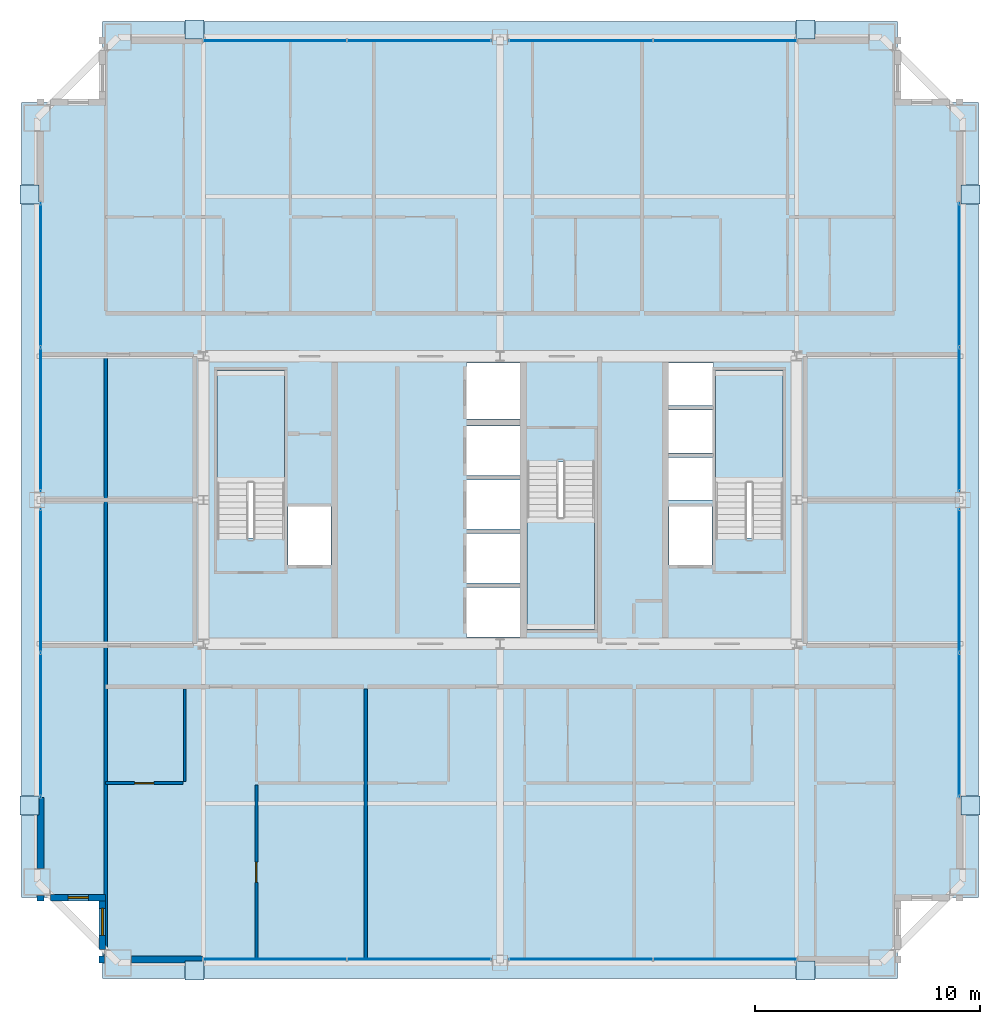
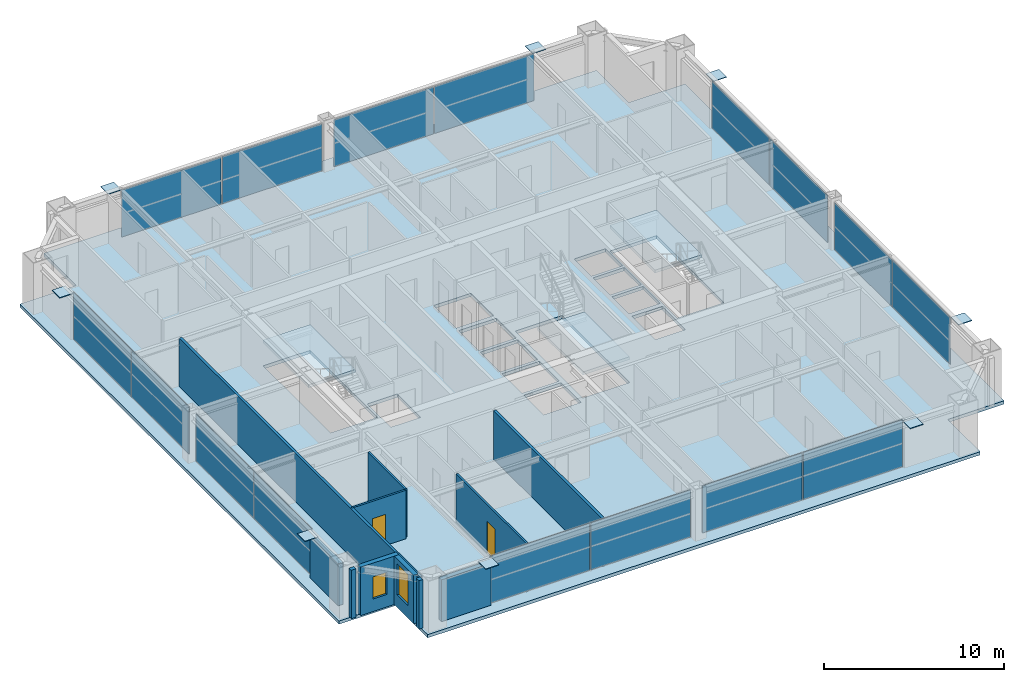
# One storey, part 31 of 37: 24 plates, 11 walls, 4 slabs, 2 doors, 2 windows, 4 openings, 11 elements without a shape of their own.
"""IFC4 building model written with IfcOpenShell, lengths in metres."""

import ifcopenshell
import ifcopenshell.guid

model = None  # the IFC model being written
_history = None  # IfcOwnerHistory: only IFC2X3 demands one
_inside = {}  # id of a spatial element -> (the spatial element, [elements in it])
_under = {}  # id of a project, library or spatial element -> (it, [spatial elements below it])
_declared = {}  # id of a project -> (the project, [libraries it declares])
_typed = {}  # id of a type object -> (the type object, [elements of that type])
_made_of = {}  # id of a material, layer set ... -> (it, [elements and type objects made of it])


def new_model(schema):
    """Start an empty IFC model of exactly this schema.

    Asked for "IFC4X3", IfcOpenShell would pick the latest addendum, in which some entities
    have other attributes; the version numbers below select the first issue.
    IFC2X3 requires an IfcOwnerHistory on every rooted entity: one is made here for all.
    """
    global model, _history
    if schema == "IFC4X3":
        model = ifcopenshell.file(schema_version=(4, 3, 0, 0))
    else:
        model = ifcopenshell.file(schema=schema)
    _inside.clear()
    _under.clear()
    _declared.clear()
    _typed.clear()
    _made_of.clear()
    _history = None
    if model.schema == "IFC2X3":
        org = make("IfcOrganization", Name="unknown")
        user = make(
            "IfcPersonAndOrganization",
            ThePerson=make("IfcPerson", FamilyName="unknown"),
            TheOrganization=org,
        )
        app = make(
            "IfcApplication",
            ApplicationDeveloper=org,
            Version="unknown",
            ApplicationFullName="unknown",
            ApplicationIdentifier="unknown",
        )
        _history = make(
            "IfcOwnerHistory",
            OwningUser=user,
            OwningApplication=app,
            ChangeAction="ADDED",
            CreationDate=0,
        )
    return model


def make(cls, **values):
    """One entity of the class cls with the attributes given. An attribute that is None is left unset."""
    return model.create_entity(
        cls, **{name: value for name, value in values.items() if value is not None}
    )


def rooted(cls, **values):
    """An entity with a GlobalId (a new one), such as an element, a storey or a relation."""
    return make(cls, GlobalId=ifcopenshell.guid.new(), OwnerHistory=_history, **values)


def si_unit(unit_type, name, prefix=None):
    """IfcSIUnit, for example si_unit("LENGTHUNIT", "METRE", prefix="MILLI")."""
    return make("IfcSIUnit", UnitType=unit_type, Prefix=prefix, Name=name)


def assignment(units):
    """IfcUnitAssignment: the units of a project."""
    return None if units is None else make("IfcUnitAssignment", Units=units)


def point(xyz):
    """IfcCartesianPoint."""
    return None if xyz is None else make("IfcCartesianPoint", Coordinates=xyz)


def direction(xyz):
    """IfcDirection."""
    return None if xyz is None else make("IfcDirection", DirectionRatios=xyz)


def frame(location, z_axis=None, x_axis=None):
    """IfcAxis2Placement3D, a coordinate frame: its origin and axes. An axis left out is left unset."""
    return make(
        "IfcAxis2Placement3D",
        Location=point(location),
        Axis=direction(z_axis),
        RefDirection=direction(x_axis),
    )


def frame_2d(location, x_axis=None):
    """IfcAxis2Placement2D, a coordinate frame in the plane: its origin and x axis."""
    return make(
        "IfcAxis2Placement2D", Location=point(location), RefDirection=direction(x_axis)
    )


def origin():
    """The frame at (0, 0, 0) with its axes left unset."""
    return frame((0.0, 0.0, 0.0))


def origin_2d():
    """The frame at (0, 0) in the plane with its x axis left unset."""
    return frame_2d((0.0, 0.0))


def place(relative_to, where):
    """IfcLocalPlacement: puts the frame where relative to a parent placement (None: the world)."""
    return make(
        "IfcLocalPlacement", PlacementRelTo=relative_to, RelativePlacement=where
    )


def context(
    kind, dimensions, precision=None, world=None, true_north=None, identifier=None
):
    """IfcGeometricRepresentationContext, for example the 3D "Model" context."""
    return make(
        "IfcGeometricRepresentationContext",
        ContextIdentifier=identifier,
        ContextType=kind,
        CoordinateSpaceDimension=dimensions,
        Precision=precision,
        WorldCoordinateSystem=world,
        TrueNorth=true_north,
    )


def subcontext(parent, identifier, kind, view, scale=None):
    """IfcGeometricRepresentationSubContext, for example "Body" below "Model"."""
    return make(
        "IfcGeometricRepresentationSubContext",
        ContextIdentifier=identifier,
        ContextType=kind,
        ParentContext=parent,
        TargetScale=scale,
        TargetView=view,
    )


def project(units=None, contexts=None):
    """IfcProject with its units and contexts."""
    return rooted(
        "IfcProject",
        Name="project",
        RepresentationContexts=contexts,
        UnitsInContext=assignment(units),
    )


def spatial(cls, under=None, at=None, **own):
    """A site, building, storey or space (cls), placed at a placement, below another one or the project."""
    s = rooted(cls, ObjectPlacement=at, **own)
    if under is not None:
        _under.setdefault(under.id(), (under, []))[1].append(s)
    return s


def polyline(points):
    """IfcPolyline through the points."""
    return make("IfcPolyline", Points=[point(p) for p in points])


def profile(cls, at=None, kind="AREA", **sizes):
    """A parametric profile (cls). Its sizes go by their IFC names, for example OverallWidth=200.0."""
    return make(cls, ProfileType=kind, Position=at, **sizes)


def rectangle(**sizes):
    """IfcRectangleProfileDef."""
    return profile("IfcRectangleProfileDef", **sizes)


def outline(outer, holes=None, kind="AREA"):
    """IfcArbitraryClosedProfileDef: a profile drawn as a closed curve; with holes, ...WithVoids."""
    if holes is None:
        return make("IfcArbitraryClosedProfileDef", ProfileType=kind, OuterCurve=outer)
    return make(
        "IfcArbitraryProfileDefWithVoids",
        ProfileType=kind,
        OuterCurve=outer,
        InnerCurves=holes,
    )


def extrude(swept, where, along, depth):
    """IfcExtrudedAreaSolid: the profile swept, set in the frame where, extruded along a direction by depth."""
    return make(
        "IfcExtrudedAreaSolid",
        SweptArea=swept,
        Position=where,
        ExtrudedDirection=direction(along),
        Depth=depth,
    )


def shape(context_of_items, identifier, shape_type, items):
    """IfcShapeRepresentation: the items that make up one representation, for example the "Body"."""
    return make(
        "IfcShapeRepresentation",
        ContextOfItems=context_of_items,
        RepresentationIdentifier=identifier,
        RepresentationType=shape_type,
        Items=items,
    )


def source(mapping_origin, context_of_items, identifier, shape_type, items):
    """IfcRepresentationMap: a shape defined once, which mapped items show again and again."""
    return make(
        "IfcRepresentationMap",
        MappingOrigin=mapping_origin,
        MappedRepresentation=shape(context_of_items, identifier, shape_type, items),
    )


def transform(
    local_origin,
    x_axis=None,
    y_axis=None,
    z_axis=None,
    scale=None,
    scale2=None,
    scale3=None,
    uniform=True,
):
    """IfcCartesianTransformationOperator3D, or its non-uniform kind. x_axis, y_axis, z_axis: its Axis1, 2, 3."""
    if uniform:
        return make(
            "IfcCartesianTransformationOperator3D",
            Axis1=direction(x_axis),
            Axis2=direction(y_axis),
            LocalOrigin=point(local_origin),
            Scale=scale,
            Axis3=direction(z_axis),
        )
    return make(
        "IfcCartesianTransformationOperator3DnonUniform",
        Axis1=direction(x_axis),
        Axis2=direction(y_axis),
        LocalOrigin=point(local_origin),
        Scale=scale,
        Axis3=direction(z_axis),
        Scale2=scale2,
        Scale3=scale3,
    )


def mapped(mapping_source, mapping_target):
    """IfcMappedItem: shows the shape of a source again, moved by a transform."""
    return make(
        "IfcMappedItem", MappingSource=mapping_source, MappingTarget=mapping_target
    )


def material(Name=None, Category=None):
    """IfcMaterial."""
    return make("IfcMaterial", Name=Name, Category=Category)


def layer(
    of_material, thickness, ventilated=None, Name=None, Category=None, Priority=None
):
    """IfcMaterialLayer: one layer of a wall or slab, of a material (None: an air gap)."""
    return make(
        "IfcMaterialLayer",
        Material=of_material,
        LayerThickness=thickness,
        IsVentilated=ventilated,
        Name=Name,
        Category=Category,
        Priority=Priority,
    )


def layer_set(layers, Name=None):
    """IfcMaterialLayerSet."""
    return make("IfcMaterialLayerSet", MaterialLayers=layers, LayerSetName=Name)


def made_of(thing, what):
    """Note that an element or type object is made of a material, layer set ...; save() writes the relation."""
    if what is not None:
        _made_of.setdefault(what.id(), (what, []))[1].append(thing)
    return thing


def type_object(cls, material=None, **own):
    """A type object (cls), such as IfcWallType, which elements share."""
    return made_of(rooted(cls, **own), material)


def element(
    cls,
    number,
    at=None,
    inside=None,
    cuts=None,
    type_object=None,
    material=None,
    context=None,
    identifier="Body",
    shape_type=None,
    held_by="IfcProductDefinitionShape",
    body=None,
    shapes=None,
    **own,
):
    """One element of the class cls, such as IfcWall. Its Tag is "e" and its number.

    at: its placement. inside: the storey or other place that contains it. cuts: it is an
    opening in that element (IfcRelVoidsElement). A single representation is given by context,
    identifier, shape_type and body (its items); several are given by shapes. held_by: the class
    of the entity that holds the representations. save() writes the other relations.
    """
    e = rooted(cls, Tag="e%d" % number, ObjectPlacement=at, **own)
    if body is not None:
        shapes = [shape(context, identifier, shape_type, body)]
    if shapes is not None:
        e.Representation = make(held_by, Representations=shapes)
    if inside is not None:
        _inside.setdefault(inside.id(), (inside, []))[1].append(e)
    if cuts is not None:
        rooted(
            "IfcRelVoidsElement", RelatingBuildingElement=cuts, RelatedOpeningElement=e
        )
    if type_object is not None:
        _typed.setdefault(type_object.id(), (type_object, []))[1].append(e)
    return made_of(e, material)


def fill(opening, filler):
    """IfcRelFillsElement: the door or window that sits in an opening."""
    return rooted(
        "IfcRelFillsElement",
        RelatingOpeningElement=opening,
        RelatedBuildingElement=filler,
    )


def aggregate(whole, parts):
    """IfcRelAggregates: a whole, such as a stair, and the parts it consists of."""
    return rooted("IfcRelAggregates", RelatingObject=whole, RelatedObjects=parts)


def save(model, path):
    """Write the relations noted so far, then the file.

    IfcRelAggregates (storeys below a building ...), IfcRelContainedInSpatialStructure (elements
    in a storey), IfcRelDefinesByType, IfcRelAssociatesMaterial and IfcRelDeclares: one each for
    every whole, place, type object, material and project.
    """
    for whole, parts in _under.values():
        aggregate(whole, parts)
    for where, things in _inside.values():
        rooted(
            "IfcRelContainedInSpatialStructure",
            RelatedElements=things,
            RelatingStructure=where,
        )
    for kind, things in _typed.values():
        rooted("IfcRelDefinesByType", RelatedObjects=things, RelatingType=kind)
    for what, things in _made_of.values():
        rooted("IfcRelAssociatesMaterial", RelatedObjects=things, RelatingMaterial=what)
    for by, libraries in _declared.values():
        rooted("IfcRelDeclares", RelatingContext=by, RelatedDefinitions=libraries)
    model.write(path)


model = new_model("IFC4")

# Units and contexts
model_context = context("Model", 3, precision=1e-05, world=origin(), true_north=direction((0.0, 1.0)))
body_context = subcontext(model_context, "Body", "Model", "MODEL_VIEW")
ifc_project = project(units=[si_unit("LENGTHUNIT", "METRE"), si_unit("AREAUNIT", "SQUARE_METRE"), si_unit("VOLUMEUNIT", "CUBIC_METRE"), si_unit("PLANEANGLEUNIT", "RADIAN"), si_unit("MASSUNIT", "GRAM", prefix="KILO"), si_unit("THERMODYNAMICTEMPERATUREUNIT", "KELVIN"), si_unit("POWERUNIT", "WATT")], contexts=[model_context])

# Site, building, storey
site_placement = place(None, origin())
site = spatial("IfcSite", under=ifc_project, at=site_placement, CompositionType="ELEMENT")
building_placement = place(site_placement, origin())
building = spatial("IfcBuilding", under=site, at=building_placement, Name="Yuzanri Waterfront Tower", CompositionType="ELEMENT")
storey_placement = place(building_placement, frame((0.0, 0.0, 245.10009765625)))
storey = spatial("IfcBuildingStorey", under=building, at=storey_placement, Name="L65", CompositionType="ELEMENT", Elevation=245.10009765625)

# Stair, slab
ifc_material_1 = material(Name="Concrete C40", Category="concrete")
stair_type = type_object("IfcStairType", Name="Concrete C40 Core Dogleg Exit Stair", PredefinedType="HALF_TURN_STAIR", material=ifc_material_1)
stair_1_placement = place(storey_placement, origin())
stair_1 = element("IfcStair", 1, at=stair_1_placement, inside=storey, type_object=stair_type, Name="L65 Smoke-Proof Core Stair ST-01", PredefinedType="HALF_TURN_STAIR")
ifc_material_2 = material(Name="Concrete C40", Category="concrete")
ifc_layer_1 = layer(ifc_material_2, 0.179931640625)
ifc_layer_set_1 = layer_set([ifc_layer_1], Name="Concrete C40")
slab_type_1 = type_object("IfcSlabType", Name="Concrete C40 Stair Half-Landing Slab 180", PredefinedType="LANDING", material=ifc_layer_set_1)
slab_1_placement = place(storey_placement, frame((0.0, 0.0, 1.5498046875)))
slab_1 = element("IfcSlab", 2, at=slab_1_placement, type_object=slab_type_1, Name="ST-01 landing 1", PredefinedType="LANDING", context=body_context, shape_type="SweptSolid", body=[
    extrude(outline(polyline([(27.39990234375, 26.56005859375), (27.39990234375, 31.580078125), (24.39990234375, 31.580078125), (24.39990234375, 26.56005859375), (27.39990234375, 26.56005859375)])), origin(), (0.0, 0.0, 1.0), 0.2001953125),
])
aggregate(stair_1, [slab_1])

stair_2_placement = place(storey_placement, origin())
stair_2 = element("IfcStair", 3, at=stair_2_placement, inside=storey, type_object=stair_type, Name="L65 Smoke-Proof Core Stair ST-02", PredefinedType="HALF_TURN_STAIR")
slab_2_placement = place(storey_placement, frame((0.0, 0.0, 1.5498046875)))
slab_2 = element("IfcSlab", 4, at=slab_2_placement, type_object=slab_type_1, Name="ST-02 landing 1", PredefinedType="LANDING", context=body_context, shape_type="SweptSolid", body=[
    extrude(outline(polyline([(49.60009765625, 26.56005859375), (49.60009765625, 31.580078125), (46.60009765625, 31.580078125), (46.60009765625, 26.56005859375), (49.60009765625, 26.56005859375)])), origin(), (0.0, 0.0, 1.0), 0.2001953125),
])
aggregate(stair_2, [slab_2])

stair_3_placement = place(storey_placement, origin())
stair_3 = element("IfcStair", 5, at=stair_3_placement, inside=storey, type_object=stair_type, Name="L65 Smoke-Proof Core Stair ST-03", PredefinedType="HALF_TURN_STAIR")
slab_3_placement = place(storey_placement, frame((0.0, 0.0, 1.5498046875)))
slab_3 = element("IfcSlab", 6, at=slab_3_placement, type_object=slab_type_1, Name="ST-03 landing 1", PredefinedType="LANDING", context=body_context, shape_type="SweptSolid", body=[
    extrude(outline(polyline([(38.199951171875, 25.0400390625), (38.199951171875, 20.02001953125), (41.199951171875, 20.02001953125), (41.199951171875, 25.0400390625), (38.199951171875, 25.0400390625)])), origin(), (0.0, 0.0, 1.0), 0.2001953125),
])
aggregate(stair_3, [slab_3])

# Slab
ifc_material_3 = material(Name="Concrete C40", Category="concrete")
ifc_layer_2 = layer(ifc_material_3, 0.219970703125)
ifc_layer_set_2 = layer_set([ifc_layer_2], Name="Concrete C40")
slab_type_2 = type_object("IfcSlabType", Name="Concrete C40 Tower Typical Structural Floor Slab 220", PredefinedType="FLOOR", material=ifc_layer_set_2)
slab_4_placement = place(storey_placement, frame((0.0, 0.0, -0.22021484375)))
element("IfcSlab", 7, at=slab_4_placement, inside=storey, type_object=slab_type_2, Name="L65 Main Structural Floor Slab", PredefinedType="FLOOR", context=body_context, shape_type="SweptSolid", body=[
    extrude(outline(polyline([(19.300048828125, 4.5), (54.699951171875, 4.5), (54.699951171875, 8.10009765625), (58.300048828125, 8.10009765625), (58.300048828125, 43.5), (54.699951171875, 43.5), (54.699951171875, 47.10009765625), (19.300048828125, 47.10009765625), (19.300048828125, 43.5), (15.699951171875, 43.5), (15.699951171875, 8.10009765625), (19.300048828125, 8.10009765625), (19.300048828125, 4.5)]), holes=[polyline([(27.39990234375, 24.10009765625), (27.39990234375, 31.580078125), (24.39990234375, 31.580078125), (24.39990234375, 24.10009765625), (27.39990234375, 24.10009765625)]), polyline([(49.60009765625, 24.10009765625), (49.60009765625, 31.580078125), (46.60009765625, 31.580078125), (46.60009765625, 24.10009765625), (49.60009765625, 24.10009765625)]), polyline([(38.199951171875, 27.5), (38.199951171875, 20.02001953125), (41.199951171875, 20.02001953125), (41.199951171875, 27.5), (38.199951171875, 27.5)]), polyline([(27.56005859375, 22.89990234375), (29.47998046875, 22.89990234375), (29.47998046875, 25.5), (27.56005859375, 25.5), (27.56005859375, 22.89990234375)]), polyline([(44.52001953125, 22.89990234375), (46.43994140625, 22.89990234375), (46.43994140625, 25.5), (44.52001953125, 25.5), (44.52001953125, 22.89990234375)]), polyline([(35.5, 19.699951171875), (37.89990234375, 19.699951171875), (37.89990234375, 21.89990234375), (35.5, 21.89990234375), (35.5, 19.699951171875)]), polyline([(35.5, 22.10009765625), (37.89990234375, 22.10009765625), (37.89990234375, 24.300048828125), (35.5, 24.300048828125), (35.5, 22.10009765625)]), polyline([(35.5, 24.5), (37.89990234375, 24.5), (37.89990234375, 26.699951171875), (35.5, 26.699951171875), (35.5, 24.5)]), polyline([(35.5, 26.89990234375), (37.89990234375, 26.89990234375), (37.89990234375, 29.10009765625), (35.5, 29.10009765625), (35.5, 26.89990234375)]), polyline([(35.5, 29.39990234375), (37.89990234375, 29.39990234375), (37.89990234375, 31.89990234375), (35.5, 31.89990234375), (35.5, 29.39990234375)]), polyline([(44.5, 25.800048828125), (46.5, 25.800048828125), (46.5, 27.699951171875), (44.5, 27.699951171875), (44.5, 25.800048828125)]), polyline([(44.5, 27.89990234375), (46.5, 27.89990234375), (46.5, 29.800048828125), (44.5, 29.800048828125), (44.5, 27.89990234375)]), polyline([(44.5, 30.0), (46.5, 30.0), (46.5, 31.89990234375), (44.5, 31.89990234375), (44.5, 30.0)])]), origin(), (0.0, 0.0, 1.0), 0.22021484375),
])

# Plates
ifc_material_4 = material(Name="Steel Q420GJC", Category="steel")
ifc_layer_3 = layer(ifc_material_4, 0.0400390625)
ifc_layer_set_3 = layer_set([ifc_layer_3], Name="Steel Q420GJC")
plate_type_1 = type_object("IfcPlateType", Name="Steel Q420GJC Mega-Brace Gusset and End-Cap Plate 40", PredefinedType="SHEET", material=ifc_layer_set_3)
shared_shape_1 = source(origin(), body_context, "Body", "SweptSolid", [
    extrude(rectangle(XDim=0.85009765625, YDim=0.85009765625, at=origin_2d()), origin(), (0.0, 0.0, 1.0), 0.0400390625),
])
for number, where, z_axis, x_axis, name in (
    (8, (23.39990234375, 4.860107421875, 3.159912109375), (0.0, 0.0, 1.0), (1.0, 0.0, 0.0), "L65 Mega-Brace Apex Cap Plate S-L"),
    (9, (50.60009765625, 4.860107421875, 3.159912109375), (0.0, 0.0, 1.0), (1.0, 0.0, 0.0), "L65 Mega-Brace Apex Cap Plate S-R"),
    (10, (23.39990234375, 46.739990234375, 3.159912109375), (0.0, 0.0, 1.0), (1.0, 0.0, 0.0), "L65 Mega-Brace Apex Cap Plate N-L"),
    (11, (50.60009765625, 46.739990234375, 3.159912109375), (0.0, 0.0, 1.0), (1.0, 0.0, 0.0), "L65 Mega-Brace Apex Cap Plate N-R"),
    (12, (16.06005859375, 12.199951171875, 3.159912109375), (0.0, 0.0, 1.0), (1.0, 0.0, 0.0), "L65 Mega-Brace Apex Cap Plate W-L"),
    (13, (16.06005859375, 39.39990234375, 3.159912109375), (0.0, 0.0, 1.0), (1.0, 0.0, 0.0), "L65 Mega-Brace Apex Cap Plate W-R"),
    (14, (57.93994140625, 12.199951171875, 3.159912109375), (0.0, 0.0, 1.0), (1.0, 0.0, 0.0), "L65 Mega-Brace Apex Cap Plate E-L"),
    (15, (57.93994140625, 39.39990234375, 3.159912109375), (0.0, 0.0, 1.0), (1.0, 0.0, 0.0), "L65 Mega-Brace Apex Cap Plate E-R"),
):
    element("IfcPlate", number, at=place(storey_placement, frame(where, z_axis=z_axis, x_axis=x_axis)), inside=storey, type_object=plate_type_1, Name=name, PredefinedType="SHEET", context=body_context, shape_type="MappedRepresentation", body=[
        mapped(shared_shape_1, transform((0.0, 0.0, 0.0), scale=1.0)),
    ])

# Curtain wall, plates
ifc_material_5 = material(Name="Anodized Architectural Bronze", Category="metal")
ifc_layer_4 = layer(ifc_material_5, 0.159912109375)
ifc_layer_set_4 = layer_set([ifc_layer_4], Name="Anodized Architectural Bronze")
curtain_wall_type = type_object("IfcCurtainWallType", Name="Anodized Bronze Mid-Rise Residential Acoustic Unitized Curtain Wall 7200", PredefinedType="NOTDEFINED", material=ifc_layer_set_4)
curtain_wall_1_placement = place(storey_placement, origin())
curtain_wall_1 = element("IfcCurtainWall", 16, at=curtain_wall_1_placement, inside=storey, type_object=curtain_wall_type, Name="L65 Curtain Wall CW-L65-SL", PredefinedType="NOTDEFINED")
ifc_material_6 = material(Name="Triple Low-E Laminated Insulated Glass", Category="glass")
ifc_layer_5 = layer(ifc_material_6, 0.0439453125)
ifc_layer_set_5 = layer_set([ifc_layer_5], Name="Triple Low-E Laminated Insulated Glass")
plate_type_2 = type_object("IfcPlateType", Name="Triple Glazed Acoustic Vision Glass Panel 44", PredefinedType="CURTAIN_PANEL", material=ifc_layer_set_5)
shared_shape_2 = source(origin(), body_context, "Body", "SweptSolid", [
    extrude(rectangle(XDim=6.3701171875, YDim=0.0439453125, at=origin_2d()), origin(), (0.0, 0.0, 1.0), 3.179931640625),
])
plate_1_placement = place(storey_placement, frame((26.97509765625, 5.35009765625, 0.0498046875), z_axis=(0.0, 0.0, 1.0), x_axis=(1.0, 0.0, 0.0)))
plate_1 = element("IfcPlate", 17, at=plate_1_placement, type_object=plate_type_2, Name="CW-L65-SL Vision Glass Panel 01", PredefinedType="CURTAIN_PANEL", context=body_context, shape_type="MappedRepresentation", body=[
    mapped(shared_shape_2, transform((0.0, 0.0, 0.0), scale=1.0)),
])
plate_2_placement = place(storey_placement, frame((33.425048828125, 5.35009765625, 0.0498046875), z_axis=(0.0, 0.0, 1.0), x_axis=(1.0, 0.0, 0.0)))
plate_2 = element("IfcPlate", 18, at=plate_2_placement, type_object=plate_type_2, Name="CW-L65-SL Vision Glass Panel 02", PredefinedType="CURTAIN_PANEL", context=body_context, shape_type="MappedRepresentation", body=[
    mapped(shared_shape_2, transform((0.0, 0.0, 0.0), scale=1.0)),
])
aggregate(curtain_wall_1, [plate_1, plate_2])

curtain_wall_2_placement = place(storey_placement, origin())
curtain_wall_2 = element("IfcCurtainWall", 19, at=curtain_wall_2_placement, inside=storey, type_object=curtain_wall_type, Name="L65 Curtain Wall CW-L65-SR", PredefinedType="NOTDEFINED")
plate_3_placement = place(storey_placement, frame((40.574951171875, 5.35009765625, 0.0498046875), z_axis=(0.0, 0.0, 1.0), x_axis=(1.0, 0.0, 0.0)))
plate_3 = element("IfcPlate", 20, at=plate_3_placement, type_object=plate_type_2, Name="CW-L65-SR Vision Glass Panel 01", PredefinedType="CURTAIN_PANEL", context=body_context, shape_type="MappedRepresentation", body=[
    mapped(shared_shape_2, transform((0.0, 0.0, 0.0), scale=1.0)),
])
plate_4_placement = place(storey_placement, frame((47.02490234375, 5.35009765625, 0.0498046875), z_axis=(0.0, 0.0, 1.0), x_axis=(1.0, 0.0, 0.0)))
plate_4 = element("IfcPlate", 21, at=plate_4_placement, type_object=plate_type_2, Name="CW-L65-SR Vision Glass Panel 02", PredefinedType="CURTAIN_PANEL", context=body_context, shape_type="MappedRepresentation", body=[
    mapped(shared_shape_2, transform((0.0, 0.0, 0.0), scale=1.0)),
])
aggregate(curtain_wall_2, [plate_3, plate_4])

curtain_wall_3_placement = place(storey_placement, origin())
curtain_wall_3 = element("IfcCurtainWall", 22, at=curtain_wall_3_placement, inside=storey, type_object=curtain_wall_type, Name="L65 Curtain Wall CW-L65-NL", PredefinedType="NOTDEFINED")
plate_5_placement = place(storey_placement, frame((26.97509765625, 46.25, 0.0498046875), z_axis=(0.0, 0.0, 1.0), x_axis=(1.0, 0.0, 0.0)))
plate_5 = element("IfcPlate", 23, at=plate_5_placement, type_object=plate_type_2, Name="CW-L65-NL Vision Glass Panel 01", PredefinedType="CURTAIN_PANEL", context=body_context, shape_type="MappedRepresentation", body=[
    mapped(shared_shape_2, transform((0.0, 0.0, 0.0), scale=1.0)),
])
plate_6_placement = place(storey_placement, frame((33.425048828125, 46.25, 0.0498046875), z_axis=(0.0, 0.0, 1.0), x_axis=(1.0, 0.0, 0.0)))
plate_6 = element("IfcPlate", 24, at=plate_6_placement, type_object=plate_type_2, Name="CW-L65-NL Vision Glass Panel 02", PredefinedType="CURTAIN_PANEL", context=body_context, shape_type="MappedRepresentation", body=[
    mapped(shared_shape_2, transform((0.0, 0.0, 0.0), scale=1.0)),
])
aggregate(curtain_wall_3, [plate_5, plate_6])

curtain_wall_4_placement = place(storey_placement, origin())
curtain_wall_4 = element("IfcCurtainWall", 25, at=curtain_wall_4_placement, inside=storey, type_object=curtain_wall_type, Name="L65 Curtain Wall CW-L65-NR", PredefinedType="NOTDEFINED")
plate_7_placement = place(storey_placement, frame((40.574951171875, 46.25, 0.0498046875), z_axis=(0.0, 0.0, 1.0), x_axis=(1.0, 0.0, 0.0)))
plate_7 = element("IfcPlate", 26, at=plate_7_placement, type_object=plate_type_2, Name="CW-L65-NR Vision Glass Panel 01", PredefinedType="CURTAIN_PANEL", context=body_context, shape_type="MappedRepresentation", body=[
    mapped(shared_shape_2, transform((0.0, 0.0, 0.0), scale=1.0)),
])
plate_8_placement = place(storey_placement, frame((47.02490234375, 46.25, 0.0498046875), z_axis=(0.0, 0.0, 1.0), x_axis=(1.0, 0.0, 0.0)))
plate_8 = element("IfcPlate", 27, at=plate_8_placement, type_object=plate_type_2, Name="CW-L65-NR Vision Glass Panel 02", PredefinedType="CURTAIN_PANEL", context=body_context, shape_type="MappedRepresentation", body=[
    mapped(shared_shape_2, transform((0.0, 0.0, 0.0), scale=1.0)),
])
aggregate(curtain_wall_4, [plate_7, plate_8])

curtain_wall_5_placement = place(storey_placement, origin())
curtain_wall_5 = element("IfcCurtainWall", 28, at=curtain_wall_5_placement, inside=storey, type_object=curtain_wall_type, Name="L65 Curtain Wall CW-L65-WL", PredefinedType="NOTDEFINED")
plate_9_placement = place(storey_placement, frame((16.550048828125, 15.77490234375, 0.0498046875), z_axis=(0.0, 0.0, 1.0), x_axis=(0.0, 1.0, 0.0)))
plate_9 = element("IfcPlate", 29, at=plate_9_placement, type_object=plate_type_2, Name="CW-L65-WL Vision Glass Panel 01", PredefinedType="CURTAIN_PANEL", context=body_context, shape_type="MappedRepresentation", body=[
    mapped(shared_shape_2, transform((0.0, 0.0, 0.0), scale=1.0)),
])
plate_10_placement = place(storey_placement, frame((16.550048828125, 22.22509765625, 0.0498046875), z_axis=(0.0, 0.0, 1.0), x_axis=(0.0, 1.0, 0.0)))
plate_10 = element("IfcPlate", 30, at=plate_10_placement, type_object=plate_type_2, Name="CW-L65-WL Vision Glass Panel 02", PredefinedType="CURTAIN_PANEL", context=body_context, shape_type="MappedRepresentation", body=[
    mapped(shared_shape_2, transform((0.0, 0.0, 0.0), scale=1.0)),
])
aggregate(curtain_wall_5, [plate_9, plate_10])

curtain_wall_6_placement = place(storey_placement, origin())
curtain_wall_6 = element("IfcCurtainWall", 31, at=curtain_wall_6_placement, inside=storey, type_object=curtain_wall_type, Name="L65 Curtain Wall CW-L65-WR", PredefinedType="NOTDEFINED")
plate_11_placement = place(storey_placement, frame((16.550048828125, 29.375, 0.0498046875), z_axis=(0.0, 0.0, 1.0), x_axis=(0.0, 1.0, 0.0)))
plate_11 = element("IfcPlate", 32, at=plate_11_placement, type_object=plate_type_2, Name="CW-L65-WR Vision Glass Panel 01", PredefinedType="CURTAIN_PANEL", context=body_context, shape_type="MappedRepresentation", body=[
    mapped(shared_shape_2, transform((0.0, 0.0, 0.0), scale=1.0)),
])
plate_12_placement = place(storey_placement, frame((16.550048828125, 35.824951171875, 0.0498046875), z_axis=(0.0, 0.0, 1.0), x_axis=(0.0, 1.0, 0.0)))
plate_12 = element("IfcPlate", 33, at=plate_12_placement, type_object=plate_type_2, Name="CW-L65-WR Vision Glass Panel 02", PredefinedType="CURTAIN_PANEL", context=body_context, shape_type="MappedRepresentation", body=[
    mapped(shared_shape_2, transform((0.0, 0.0, 0.0), scale=1.0)),
])
aggregate(curtain_wall_6, [plate_11, plate_12])

curtain_wall_7_placement = place(storey_placement, origin())
curtain_wall_7 = element("IfcCurtainWall", 34, at=curtain_wall_7_placement, inside=storey, type_object=curtain_wall_type, Name="L65 Curtain Wall CW-L65-EL", PredefinedType="NOTDEFINED")
plate_13_placement = place(storey_placement, frame((57.449951171875, 15.77490234375, 0.0498046875), z_axis=(0.0, 0.0, 1.0), x_axis=(0.0, 1.0, 0.0)))
plate_13 = element("IfcPlate", 35, at=plate_13_placement, type_object=plate_type_2, Name="CW-L65-EL Vision Glass Panel 01", PredefinedType="CURTAIN_PANEL", context=body_context, shape_type="MappedRepresentation", body=[
    mapped(shared_shape_2, transform((0.0, 0.0, 0.0), scale=1.0)),
])
plate_14_placement = place(storey_placement, frame((57.449951171875, 22.22509765625, 0.0498046875), z_axis=(0.0, 0.0, 1.0), x_axis=(0.0, 1.0, 0.0)))
plate_14 = element("IfcPlate", 36, at=plate_14_placement, type_object=plate_type_2, Name="CW-L65-EL Vision Glass Panel 02", PredefinedType="CURTAIN_PANEL", context=body_context, shape_type="MappedRepresentation", body=[
    mapped(shared_shape_2, transform((0.0, 0.0, 0.0), scale=1.0)),
])
aggregate(curtain_wall_7, [plate_13, plate_14])

curtain_wall_8_placement = place(storey_placement, origin())
curtain_wall_8 = element("IfcCurtainWall", 37, at=curtain_wall_8_placement, inside=storey, type_object=curtain_wall_type, Name="L65 Curtain Wall CW-L65-ER", PredefinedType="NOTDEFINED")
plate_15_placement = place(storey_placement, frame((57.449951171875, 29.375, 0.0498046875), z_axis=(0.0, 0.0, 1.0), x_axis=(0.0, 1.0, 0.0)))
plate_15 = element("IfcPlate", 38, at=plate_15_placement, type_object=plate_type_2, Name="CW-L65-ER Vision Glass Panel 01", PredefinedType="CURTAIN_PANEL", context=body_context, shape_type="MappedRepresentation", body=[
    mapped(shared_shape_2, transform((0.0, 0.0, 0.0), scale=1.0)),
])
plate_16_placement = place(storey_placement, frame((57.449951171875, 35.824951171875, 0.0498046875), z_axis=(0.0, 0.0, 1.0), x_axis=(0.0, 1.0, 0.0)))
plate_16 = element("IfcPlate", 39, at=plate_16_placement, type_object=plate_type_2, Name="CW-L65-ER Vision Glass Panel 02", PredefinedType="CURTAIN_PANEL", context=body_context, shape_type="MappedRepresentation", body=[
    mapped(shared_shape_2, transform((0.0, 0.0, 0.0), scale=1.0)),
])
aggregate(curtain_wall_8, [plate_15, plate_16])

# Wall, opening, door
ifc_material_7 = material(Name="Moisture-Resistant Gypsum Stud Wall", Category="gypsum")
ifc_layer_6 = layer(ifc_material_7, 0.1201171875)
ifc_layer_set_6 = layer_set([ifc_layer_6], Name="Moisture-Resistant Gypsum Stud Wall")
wall_type_1 = type_object("IfcWallType", Name="Bathroom and Kitchen Wet Partition 120", PredefinedType="PARTITIONING", material=ifc_layer_set_6)
wall_1_placement = place(storey_placement, frame((19.43994140625, 13.199951171875, 0.0), z_axis=(0.0, 0.0, 1.0), x_axis=(1.0, 0.0, 0.0)))
wall_1 = element("IfcWall", 40, at=wall_1_placement, inside=storey, type_object=wall_type_1, Name="L65 Partition UW-L65-RS1-SUB-1-S", PredefinedType="PARTITIONING", context=body_context, shape_type="SweptSolid", body=[
    extrude(rectangle(XDim=3.453125, YDim=0.1201171875, at=frame_2d((1.7265625, 0.0))), origin(), (0.0, 0.0, 1.0), 3.27978515625),
])
opening_1_placement = place(wall_1_placement, frame((1.301513671875, 0.0, 0.0)))
opening_1 = element("IfcOpeningElement", 41, at=opening_1_placement, cuts=wall_1, Name="Opening ID-0850", PredefinedType="OPENING", context=body_context, shape_type="SweptSolid", body=[
    extrude(rectangle(XDim=0.85009765625, YDim=2.10009765625, at=frame_2d((0.425048828125, 1.050048828125))), frame((0.0, 0.074951171875, 0.0), z_axis=(0.0, -1.0, 0.0), x_axis=(1.0, 0.0, 0.0)), (0.0, 0.0, 1.0), 0.14990234375),
])
ifc_material_8 = material(Name="Moisture-Resistant Lacquered Timber", Category="wood")
door_type_1 = type_object("IfcDoorType", Name="En-Suite Bathroom and Kitchen Swing Door 850x2100", OperationType="NOTDEFINED", PredefinedType="DOOR", material=ifc_material_8)
shared_shape_3 = source(origin(), body_context, "Body", "SweptSolid", [
    extrude(rectangle(XDim=0.85009765625, YDim=2.10009765625, at=frame_2d((0.425048828125, 1.050048828125))), frame((0.0, 0.02490234375, 0.0), z_axis=(0.0, -1.0, 0.0), x_axis=(1.0, 0.0, 0.0)), (0.0, 0.0, 1.0), 0.050048828125),
])
door_1_placement = place(opening_1_placement, origin())
door_1 = element("IfcDoor", 42, at=door_1_placement, inside=storey, type_object=door_type_1, Name="L65 Suite Interior Room Door", OperationType="SINGLE_SWING_RIGHT", OverallHeight=2.10009765625, OverallWidth=0.85009765625, PredefinedType="DOOR", context=body_context, shape_type="MappedRepresentation", body=[
    mapped(shared_shape_3, transform((0.0, 0.0, 0.0), scale=1.0)),
])
fill(opening_1, door_1)

wall_2_placement = place(storey_placement, frame((26.157958984375, 5.35009765625, 0.0), z_axis=(0.0, 0.0, 1.0), x_axis=(0.0, 1.0, 0.0)))
wall_2 = element("IfcWall", 43, at=wall_2_placement, inside=storey, type_object=wall_type_1, Name="L65 Partition UW-L65-RS1-SUB-3-W", PredefinedType="PARTITIONING", context=body_context, shape_type="SweptSolid", body=[
    extrude(rectangle(XDim=7.77001953125, YDim=0.1201171875, at=frame_2d((3.885009765625, 0.0))), origin(), (0.0, 0.0, 1.0), 3.27978515625),
])
opening_2_placement = place(wall_2_placement, frame((3.43505859375, 0.0, 0.0)))
opening_2 = element("IfcOpeningElement", 44, at=opening_2_placement, cuts=wall_2, Name="Opening ID-0900", PredefinedType="OPENING", context=body_context, shape_type="SweptSolid", body=[
    extrude(rectangle(XDim=0.89990234375, YDim=2.14990234375, at=frame_2d((0.449951171875, 1.074951171875))), frame((0.0, 0.074951171875, 0.0), z_axis=(0.0, -1.0, 0.0), x_axis=(1.0, 0.0, 0.0)), (0.0, 0.0, 1.0), 0.14990234375),
])
ifc_material_9 = material(Name="Stained Walnut Veneer Timber", Category="wood")
door_type_2 = type_object("IfcDoorType", Name="Bedroom and Study Interior Swing Door 900x2150", OperationType="NOTDEFINED", PredefinedType="DOOR", material=ifc_material_9)
shared_shape_4 = source(origin(), body_context, "Body", "SweptSolid", [
    extrude(rectangle(XDim=0.89990234375, YDim=2.14990234375, at=frame_2d((0.449951171875, 1.074951171875))), frame((0.0, 0.02490234375, 0.0), z_axis=(0.0, -1.0, 0.0), x_axis=(1.0, 0.0, 0.0)), (0.0, 0.0, 1.0), 0.050048828125),
])
door_2_placement = place(opening_2_placement, origin())
door_2 = element("IfcDoor", 45, at=door_2_placement, inside=storey, type_object=door_type_2, Name="L65 Suite Interior Room Door", OperationType="SINGLE_SWING_RIGHT", OverallHeight=2.14990234375, OverallWidth=0.89990234375, PredefinedType="DOOR", context=body_context, shape_type="MappedRepresentation", body=[
    mapped(shared_shape_4, transform((0.0, 0.0, 0.0), scale=1.0)),
])
fill(opening_2, door_2)

# Wall, opening, window
ifc_material_10 = material(Name="Honed Chongqing Dark Basalt Stone", Category="masonry")
ifc_layer_7 = layer(ifc_material_10, 0.300048828125)
ifc_layer_set_7 = layer_set([ifc_layer_7], Name="Honed Chongqing Dark Basalt Stone")
wall_type_2 = type_object("IfcWallType", Name="Bronze Rainscreen Insulated Spandrel Portal Wall 300", PredefinedType="SOLIDWALL", material=ifc_layer_set_7)
wall_3_placement = place(storey_placement, frame((17.0, 8.10009765625, 0.0), z_axis=(0.0, 0.0, 1.0), x_axis=(1.0, 0.0, 0.0)))
wall_3 = element("IfcWall", 46, at=wall_3_placement, inside=storey, type_object=wall_type_2, Name="L65 Notched Corner Masonry Wall SW-X", PredefinedType="SOLIDWALL", context=body_context, shape_type="SweptSolid", body=[
    extrude(rectangle(XDim=2.449951171875, YDim=0.300048828125, at=frame_2d((1.22509765625, 0.0))), origin(), (0.0, 0.0, 1.0), 3.27978515625),
])
opening_3_placement = place(wall_3_placement, frame((0.77490234375, 0.0, 0.85009765625)))
opening_3 = element("IfcOpeningElement", 47, at=opening_3_placement, cuts=wall_3, Name="Opening WN-05", PredefinedType="OPENING", context=body_context, shape_type="SweptSolid", body=[
    extrude(rectangle(XDim=0.89990234375, YDim=1.5, at=frame_2d((0.449951171875, 0.75))), frame((0.0, 0.1650390625, 0.0), z_axis=(0.0, -1.0, 0.0), x_axis=(1.0, 0.0, 0.0)), (0.0, 0.0, 1.0), 0.329833984375),
])
ifc_material_11 = material(Name="Double-Silver Low-E Insulated Glass", Category="glass")
window_type_1 = type_object("IfcWindowType", Name="Anodized Bronze Service and Stairwell Smoke-Vent Window 900x1500", PartitioningType="SINGLE_PANEL", PredefinedType="WINDOW", material=ifc_material_11)
shared_shape_5 = source(origin(), body_context, "Body", "SweptSolid", [
    extrude(rectangle(XDim=0.89990234375, YDim=1.5, at=frame_2d((0.449951171875, 0.75))), frame((0.0, 0.030029296875, 0.0), z_axis=(0.0, -1.0, 0.0), x_axis=(1.0, 0.0, 0.0)), (0.0, 0.0, 1.0), 0.06005859375),
])
window_1_placement = place(opening_3_placement, origin())
window_1 = element("IfcWindow", 48, at=window_1_placement, inside=storey, type_object=window_type_1, Name="L65 Notched Corner Window SW-X", OverallHeight=1.5, OverallWidth=0.89990234375, PartitioningType="SINGLE_PANEL", PredefinedType="WINDOW", context=body_context, shape_type="MappedRepresentation", body=[
    mapped(shared_shape_5, transform((0.0, 0.0, 0.0), scale=1.0)),
])
fill(opening_3, window_1)

wall_4_placement = place(storey_placement, frame((19.300048828125, 8.25, 0.0), z_axis=(0.0, 0.0, 1.0), x_axis=(0.0, -1.0, 0.0)))
wall_4 = element("IfcWall", 49, at=wall_4_placement, inside=storey, type_object=wall_type_2, Name="L65 Notched Corner Masonry Wall SW-Y", PredefinedType="SOLIDWALL", context=body_context, shape_type="SweptSolid", body=[
    extrude(rectangle(XDim=2.449951171875, YDim=0.300048828125, at=frame_2d((1.22509765625, 0.0))), origin(), (0.0, 0.0, 1.0), 3.27978515625),
])
opening_4_placement = place(wall_4_placement, frame((0.625, 0.0, 0.85009765625)))
opening_4 = element("IfcOpeningElement", 50, at=opening_4_placement, cuts=wall_4, Name="Opening WN-02", PredefinedType="OPENING", context=body_context, shape_type="SweptSolid", body=[
    extrude(rectangle(XDim=1.199951171875, YDim=2.10009765625, at=frame_2d((0.60009765625, 1.050048828125))), frame((0.0, 0.1650390625, 0.0), z_axis=(0.0, -1.0, 0.0), x_axis=(1.0, 0.0, 0.0)), (0.0, 0.0, 1.0), 0.329833984375),
])
ifc_material_12 = material(Name="Double-Silver Low-E Insulated Glass", Category="glass")
window_type_2 = type_object("IfcWindowType", Name="Anodized Bronze Notched Corner Deep-Set Slot Window 1200x2100", PartitioningType="SINGLE_PANEL", PredefinedType="WINDOW", material=ifc_material_12)
shared_shape_6 = source(origin(), body_context, "Body", "SweptSolid", [
    extrude(rectangle(XDim=1.199951171875, YDim=2.10009765625, at=frame_2d((0.60009765625, 1.050048828125))), frame((0.0, 0.030029296875, 0.0), z_axis=(0.0, -1.0, 0.0), x_axis=(1.0, 0.0, 0.0)), (0.0, 0.0, 1.0), 0.06005859375),
])
window_2_placement = place(opening_4_placement, origin())
window_2 = element("IfcWindow", 51, at=window_2_placement, inside=storey, type_object=window_type_2, Name="L65 Notched Corner Window SW-Y", OverallHeight=2.10009765625, OverallWidth=1.199951171875, PartitioningType="SINGLE_PANEL", PredefinedType="WINDOW", context=body_context, shape_type="MappedRepresentation", body=[
    mapped(shared_shape_6, transform((0.0, 0.0, 0.0), scale=1.0)),
])
fill(opening_4, window_2)

# Walls
shared_shape_7 = source(origin(), body_context, "Body", "SweptSolid", [
    extrude(rectangle(XDim=0.25, YDim=0.300048828125, at=frame_2d((0.125, 0.0))), origin(), (0.0, 0.0, 1.0), 3.27978515625),
])
for number, where, z_axis, x_axis, name in (
    (52, (19.14990234375, 5.35009765625, 0.0), (0.0, 0.0, 1.0), (1.0, 0.0, 0.0), "L65 Corner Column Shoulder Return CSW"),
    (53, (16.550048828125, 7.949951171875, 0.0), (0.0, 0.0, 1.0), (0.0, 1.0, 0.0), "L65 Corner Column Shoulder Return CWS"),
):
    element("IfcWall", number, at=place(storey_placement, frame(where, z_axis=z_axis, x_axis=x_axis)), inside=storey, type_object=wall_type_2, Name=name, PredefinedType="SOLIDWALL", context=body_context, shape_type="MappedRepresentation", body=[
        mapped(shared_shape_7, transform((0.0, 0.0, 0.0), scale=1.0)),
    ])
shared_shape_8 = source(origin(), body_context, "Body", "SweptSolid", [
    extrude(rectangle(XDim=3.14990234375, YDim=0.300048828125, at=frame_2d((1.574951171875, 0.0))), origin(), (0.0, 0.0, 1.0), 2.8349609375),
])
wall_5_placement = place(storey_placement, frame((20.60009765625, 5.35009765625, 0.0), z_axis=(0.0, 0.0, 1.0), x_axis=(1.0, 0.0, 0.0)))
element("IfcWall", 54, at=wall_5_placement, inside=storey, type_object=wall_type_2, Name="L65 S Left Braced Masonry Shoulder", PredefinedType="SOLIDWALL", context=body_context, shape_type="MappedRepresentation", body=[
    mapped(shared_shape_8, transform((0.0, 0.0, 0.0), scale=1.0)),
])
shared_shape_9 = source(origin(), body_context, "Body", "SweptSolid", [
    extrude(rectangle(XDim=3.150146484375, YDim=0.300048828125, at=frame_2d((1.5751953125, 0.0))), origin(), (0.0, 0.0, 1.0), 2.8349609375),
])
wall_6_placement = place(storey_placement, frame((16.550048828125, 9.39990234375, 0.0), z_axis=(0.0, 0.0, 1.0), x_axis=(0.0, 1.0, 0.0)))
element("IfcWall", 55, at=wall_6_placement, inside=storey, type_object=wall_type_2, Name="L65 W Left Braced Masonry Shoulder", PredefinedType="SOLIDWALL", context=body_context, shape_type="MappedRepresentation", body=[
    mapped(shared_shape_9, transform((0.0, 0.0, 0.0), scale=1.0)),
])
ifc_material_13 = material(Name="Gypsum Fireboard Acoustic Stud Wall", Category="gypsum")
ifc_layer_8 = layer(ifc_material_13, 0.159912109375)
ifc_layer_set_8 = layer_set([ifc_layer_8], Name="Gypsum Fireboard Acoustic Stud Wall")
wall_type_3 = type_object("IfcWallType", Name="Acoustic Suite Demising Partition 160", PredefinedType="PARTITIONING", material=ifc_layer_set_8)
shared_shape_10 = source(origin(), body_context, "Body", "SweptSolid", [
    extrude(rectangle(XDim=12.039794921875, YDim=0.159912109375, at=frame_2d((6.02001953125, 0.0))), origin(), (0.0, 0.0, 1.0), 3.27978515625),
])
wall_7_placement = place(storey_placement, frame((31.030029296875, 5.35009765625, 0.0), z_axis=(0.0, 0.0, 1.0), x_axis=(0.0, 1.0, 0.0)))
element("IfcWall", 56, at=wall_7_placement, inside=storey, type_object=wall_type_3, Name="L65-RS1 Party Wall", PredefinedType="PARTITIONING", context=body_context, shape_type="MappedRepresentation", body=[
    mapped(shared_shape_10, transform((0.0, 0.0, 0.0), scale=1.0)),
])
shared_shape_11 = source(origin(), body_context, "Body", "SweptSolid", [
    extrude(rectangle(XDim=4.10986328125, YDim=0.1201171875, at=frame_2d((2.054931640625, 0.0))), origin(), (0.0, 0.0, 1.0), 3.27978515625),
])
wall_8_placement = place(storey_placement, frame((22.972900390625, 13.280029296875, 0.0), z_axis=(0.0, 0.0, 1.0), x_axis=(0.0, 1.0, 0.0)))
element("IfcWall", 57, at=wall_8_placement, inside=storey, type_object=wall_type_1, Name="L65 Partition UW-L65-RS1-SUB-1-E", PredefinedType="PARTITIONING", context=body_context, shape_type="MappedRepresentation", body=[
    mapped(shared_shape_11, transform((0.0, 0.0, 0.0), scale=1.0)),
])
shared_shape_12 = source(origin(), body_context, "Body", "SweptSolid", [
    extrude(rectangle(XDim=26.68994140625, YDim=0.159912109375, at=frame_2d((13.344970703125, 0.0))), origin(), (0.0, 0.0, 1.0), 3.27978515625),
])
wall_9_placement = place(storey_placement, frame((19.449951171875, 5.5, 0.0), z_axis=(0.0, 0.0, 1.0), x_axis=(0.0, 1.0, 0.0)))
element("IfcWall", 58, at=wall_9_placement, inside=storey, type_object=wall_type_3, Name="L65 South Band West End Wall", PredefinedType="PARTITIONING", context=body_context, shape_type="MappedRepresentation", body=[
    mapped(shared_shape_12, transform((0.0, 0.0, 0.0), scale=1.0)),
])

save(model, "model.ifc")
